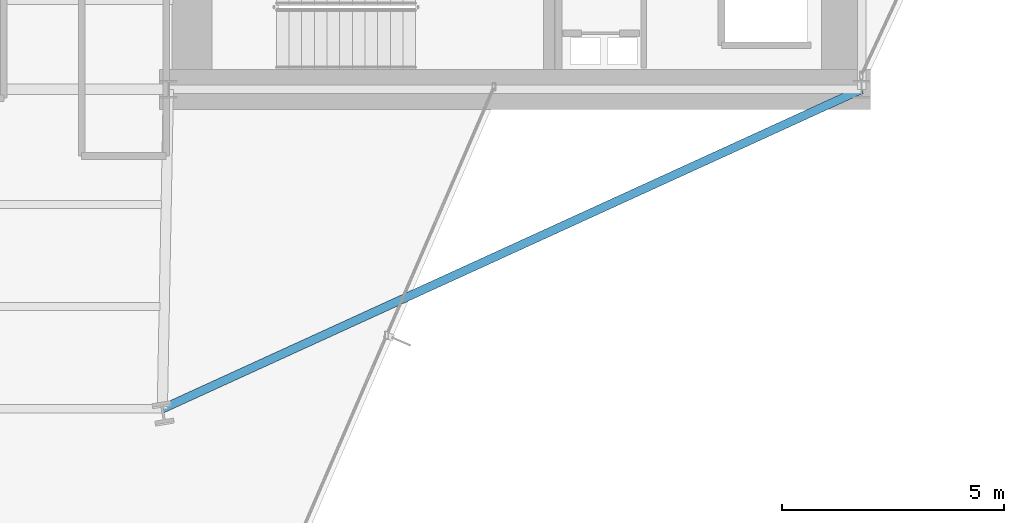
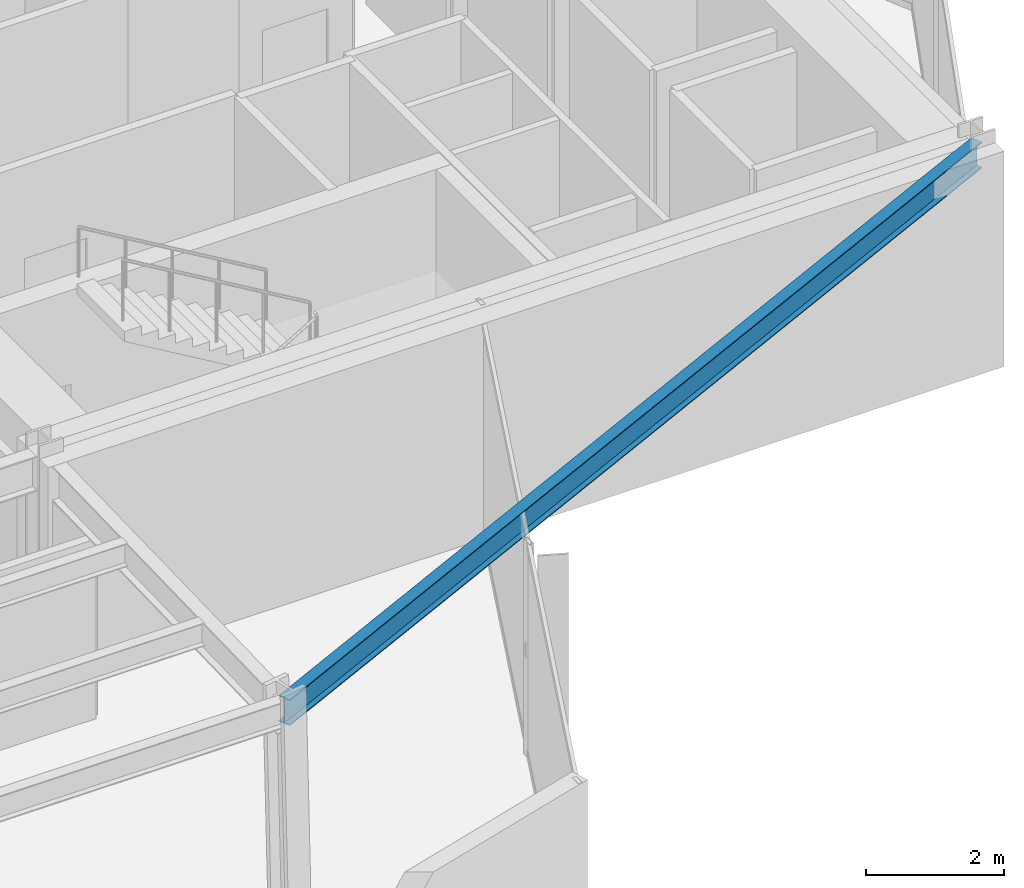
# One storey, part 12 of 26: 1 beam.
"""IFC4 building model written with IfcOpenShell, lengths in metres."""

from ifc_helpers import new_model, si_unit, direction, frame, origin, origin_2d, place, context, subcontext, project, spatial, i_section, extrude, material, material_profile, profile_set, type_object, element, save


model = new_model("IFC4")

# Units and contexts
model_context = context("Model", 3, precision=1e-05, world=origin(), true_north=direction((0.0, 1.0)))
body_context = subcontext(model_context, "Body", "Model", "MODEL_VIEW")
ifc_project = project(units=[si_unit("LENGTHUNIT", "METRE"), si_unit("AREAUNIT", "SQUARE_METRE"), si_unit("VOLUMEUNIT", "CUBIC_METRE"), si_unit("PLANEANGLEUNIT", "RADIAN"), si_unit("MASSUNIT", "GRAM", prefix="KILO")], contexts=[model_context])

# Site, building, storey
site_placement = place(None, origin())
site = spatial("IfcSite", under=ifc_project, at=site_placement, CompositionType="ELEMENT")
building_placement = place(site_placement, origin())
building = spatial("IfcBuilding", under=site, at=building_placement, Name="Veymaron Broadcast Tower", CompositionType="ELEMENT")
storey_placement = place(building_placement, frame((0.0, 0.0, 90.449951171875)))
storey = spatial("IfcBuildingStorey", under=building, at=storey_placement, Name="L20", CompositionType="ELEMENT", Elevation=90.449951171875)

# Beam
ifc_material = material(Name="Structural steel ASTM A992 Gr 50", Category="steel")
ifc_material_profile = material_profile(ifc_material, i_section(OverallWidth=0.19091796875, OverallDepth=0.4599609375, WebThickness=0.010009765625, FlangeThickness=0.01611328125, at=origin_2d()), Name="W460X82")
ifc_profile_set = profile_set([ifc_material_profile], Name="Structural steel ASTM A992 Gr 50")
beam_type = type_object("IfcBeamType", Name="BM-SP1", PredefinedType="SPANDREL", material=ifc_profile_set)
beam_placement = place(storey_placement, frame((54.60009765625, 16.0, 3.580078125), z_axis=(-0.909545509286, -0.415604338931, 0.0), x_axis=(0.415604338931, -0.909545509286, 0.0)))
element("IfcBeam", 1, at=beam_placement, inside=storey, type_object=beam_type, Name="L20 primary structural floor girder", PredefinedType="SPANDREL", context=body_context, shape_type="SweptSolid", body=[
    extrude(i_section(OverallWidth=0.19091796875, OverallDepth=0.4599609375, WebThickness=0.010009765625, FlangeThickness=0.01611328125, at=origin_2d()), origin(), (0.0, 0.0, 1.0), 17.300048828125),
])

save(model, "model.ifc")
